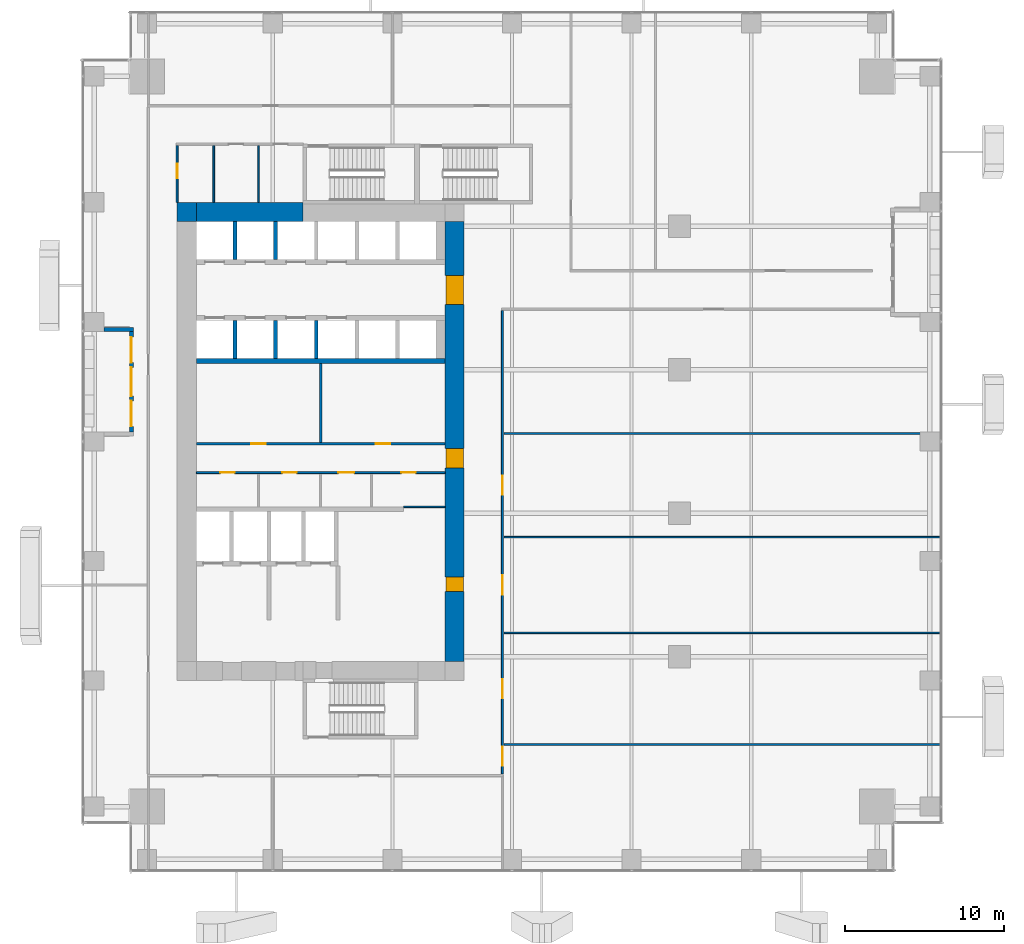
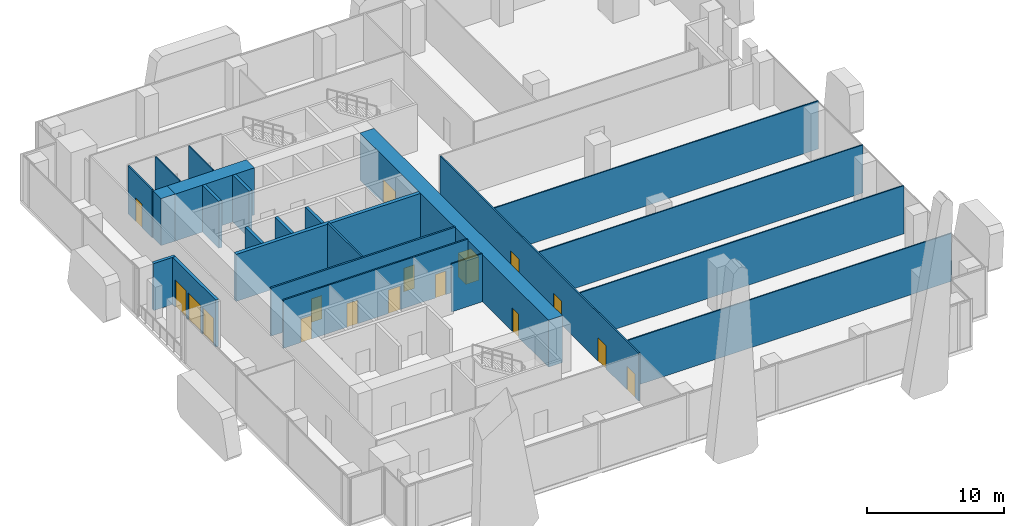
# One storey, part 28 of 35: 23 walls, 15 doors, 2 windows, 17 openings.
"""IFC4 building model written with IfcOpenShell, lengths in metres."""

from ifc_helpers import new_model, si_unit, direction, frame, frame_2d, origin, place, context, subcontext, project, spatial, rectangle, extrude, source, transform, mapped, material, layer, layer_set, type_object, element, fill, save


model = new_model("IFC4")

# Units and contexts
model_context = context("Model", 3, precision=1e-05, world=origin(), true_north=direction((0.0, 1.0)))
body_context = subcontext(model_context, "Body", "Model", "MODEL_VIEW")
ifc_project = project(units=[si_unit("LENGTHUNIT", "METRE"), si_unit("AREAUNIT", "SQUARE_METRE"), si_unit("VOLUMEUNIT", "CUBIC_METRE"), si_unit("PLANEANGLEUNIT", "RADIAN"), si_unit("MASSUNIT", "GRAM", prefix="KILO")], contexts=[model_context])

# Site, building, storey
site_placement = place(None, origin())
site = spatial("IfcSite", under=ifc_project, at=site_placement, CompositionType="ELEMENT")
building_placement = place(site_placement, origin())
building = spatial("IfcBuilding", under=site, at=building_placement, Name="Khomas Fold Tower", CompositionType="ELEMENT")
storey_placement = place(building_placement, frame((0.0, 0.0, 69.0)))
storey = spatial("IfcBuildingStorey", under=building, at=storey_placement, Name="L14", CompositionType="ELEMENT", Elevation=69.0)

# Walls
ifc_material_1 = material(Name="Concrete C70/85", Category="concrete")
ifc_layer_1 = layer(ifc_material_1, 1.199951171875)
ifc_layer_set_1 = layer_set([ifc_layer_1], Name="Concrete C70/85")
wall_type_1 = type_object("IfcWallType", Name="Core wall 1200", PredefinedType="SHEAR", material=ifc_layer_set_1)
shared_shape_1 = source(origin(), body_context, "Body", "SweptSolid", [
    extrude(rectangle(XDim=6.699951171875, YDim=1.199951171875, at=frame_2d((3.35009765625, 0.0))), origin(), (0.0, 0.0, 1.0), 4.199951171875),
])
wall_1_placement = place(storey_placement, frame((7.199951171875, 41.39990234375, 0.0), z_axis=(0.0, 0.0, 1.0), x_axis=(1.0, 0.0, 0.0)))
element("IfcWall", 1, at=wall_1_placement, inside=storey, type_object=wall_type_1, Name="Core wall CW-L-N-B2", PredefinedType="SHEAR", context=body_context, shape_type="MappedRepresentation", body=[
    mapped(shared_shape_1, transform((0.0, 0.0, 0.0))),
])
ifc_material_2 = material(Name="Concrete C70/85", Category="concrete")
ifc_layer_2 = layer(ifc_material_2, 1.199951171875)
ifc_layer_set_2 = layer_set([ifc_layer_2], Name="Concrete C70/85")
wall_type_2 = type_object("IfcWallType", Name="Core corner wall 1200", PredefinedType="SHEAR", material=ifc_layer_set_2)
shared_shape_2 = source(origin(), body_context, "Body", "SweptSolid", [
    extrude(rectangle(XDim=1.199951171875, YDim=1.199951171875, at=frame_2d((0.60009765625, 0.0))), origin(), (0.0, 0.0, 1.0), 4.199951171875),
])
wall_2_placement = place(storey_placement, frame((6.0, 41.39990234375, 0.0), z_axis=(0.0, 0.0, 1.0), x_axis=(1.0, 0.0, 0.0)))
element("IfcWall", 2, at=wall_2_placement, inside=storey, type_object=wall_type_2, Name="Core wall CW-L-NW-B2", PredefinedType="SHEAR", context=body_context, shape_type="MappedRepresentation", body=[
    mapped(shared_shape_2, transform((0.0, 0.0, 0.0))),
])

# Wall, openings, doors
shared_shape_3 = source(origin(), body_context, "Body", "SweptSolid", [
    extrude(rectangle(XDim=27.60009765625, YDim=1.199951171875, at=frame_2d((13.800048828125, 0.0))), origin(), (0.0, 0.0, 1.0), 4.199951171875),
])
wall_3_placement = place(storey_placement, frame((23.39990234375, 13.199951171875, 0.0), z_axis=(0.0, 0.0, 1.0), x_axis=(0.0, 1.0, 0.0)))
wall_3 = element("IfcWall", 3, at=wall_3_placement, inside=storey, type_object=wall_type_1, Name="Core wall CW-L-E-B2", PredefinedType="SHEAR", context=body_context, shape_type="MappedRepresentation", body=[
    mapped(shared_shape_3, transform((0.0, 0.0, 0.0))),
])
shared_shape_4 = source(origin(), body_context, "Body", "SweptSolid", [
    extrude(rectangle(XDim=1.800048828125, YDim=2.10009765625, at=frame_2d((0.89990234375, 1.050048828125))), frame((0.0, 0.60986328125, 0.0), z_axis=(0.0, -1.0, 0.0), x_axis=(1.0, 0.0, 0.0)), (0.0, 0.0, 1.0), 1.219970703125),
])
opening_1_placement = place(wall_3_placement, frame((22.39990234375, 0.0, 0.0)))
opening_1 = element("IfcOpeningElement", 4, at=opening_1_placement, cuts=wall_3, Name="Opening 0015", PredefinedType="OPENING", context=body_context, shape_type="MappedRepresentation", body=[
    mapped(shared_shape_4, transform((0.0, 0.0, 0.0))),
])
shared_shape_5 = source(origin(), body_context, "Body", "SweptSolid", [
    extrude(rectangle(XDim=1.199951171875, YDim=2.10009765625, at=frame_2d((0.60009765625, 1.050048828125))), frame((0.0, 0.60986328125, 0.0), z_axis=(0.0, -1.0, 0.0), x_axis=(1.0, 0.0, 0.0)), (0.0, 0.0, 1.0), 1.219970703125),
])
opening_2_placement = place(wall_3_placement, frame((12.14990234375, 0.0, 0.0)))
opening_2 = element("IfcOpeningElement", 5, at=opening_2_placement, cuts=wall_3, Name="Opening 0001", PredefinedType="OPENING", context=body_context, shape_type="MappedRepresentation", body=[
    mapped(shared_shape_5, transform((0.0, 0.0, 0.0))),
])
shared_shape_6 = source(origin(), body_context, "Body", "SweptSolid", [
    extrude(rectangle(XDim=0.89990234375, YDim=2.10009765625, at=frame_2d((0.449951171875, 1.050048828125))), frame((0.0, 0.60986328125, 0.0), z_axis=(0.0, -1.0, 0.0), x_axis=(1.0, 0.0, 0.0)), (0.0, 0.0, 1.0), 1.219970703125),
])
opening_3_placement = place(wall_3_placement, frame((4.39990234375, 0.0, 0.0)))
opening_3 = element("IfcOpeningElement", 6, at=opening_3_placement, cuts=wall_3, Name="Opening 0008", PredefinedType="OPENING", context=body_context, shape_type="MappedRepresentation", body=[
    mapped(shared_shape_6, transform((0.0, 0.0, 0.0))),
])
ifc_material_3 = material(Name="Timber door leaf", Category="wood")
door_type_1 = type_object("IfcDoorType", Name="Door 1200x2100 right-hand", OperationType="SINGLE_SWING_RIGHT", PredefinedType="DOOR", material=ifc_material_3)
shared_shape_7 = source(origin(), body_context, "Body", "SweptSolid", [
    extrude(rectangle(XDim=1.199951171875, YDim=2.10009765625, at=frame_2d((0.60009765625, 1.050048828125))), frame((0.0, 0.5498046875, 0.0), z_axis=(0.0, -1.0, 0.0), x_axis=(1.0, 0.0, 0.0)), (0.0, 0.0, 1.0), 1.099853515625),
])
door_1_placement = place(opening_2_placement, origin())
door_1 = element("IfcDoor", 7, at=door_1_placement, inside=storey, type_object=door_type_1, Name="Door", OperationType="SINGLE_SWING_RIGHT", OverallHeight=2.10009765625, OverallWidth=1.199951171875, PredefinedType="DOOR", context=body_context, shape_type="MappedRepresentation", body=[
    mapped(shared_shape_7, transform((0.0, 0.0, 0.0))),
])
fill(opening_2, door_1)
ifc_material_4 = material(Name="Timber door leaf", Category="wood")
door_type_2 = type_object("IfcDoorType", Name="Door 900x2100 right-hand", OperationType="SINGLE_SWING_RIGHT", PredefinedType="DOOR", material=ifc_material_4)
shared_shape_8 = source(origin(), body_context, "Body", "SweptSolid", [
    extrude(rectangle(XDim=0.89990234375, YDim=2.10009765625, at=frame_2d((0.449951171875, 1.050048828125))), frame((0.0, 0.5498046875, 0.0), z_axis=(0.0, -1.0, 0.0), x_axis=(1.0, 0.0, 0.0)), (0.0, 0.0, 1.0), 1.099853515625),
])
door_2_placement = place(opening_3_placement, origin())
door_2 = element("IfcDoor", 8, at=door_2_placement, inside=storey, type_object=door_type_2, Name="Door", OperationType="SINGLE_SWING_RIGHT", OverallHeight=2.10009765625, OverallWidth=0.89990234375, PredefinedType="DOOR", context=body_context, shape_type="MappedRepresentation", body=[
    mapped(shared_shape_8, transform((0.0, 0.0, 0.0))),
])
fill(opening_3, door_2)
ifc_material_5 = material(Name="Steel door leaf", Category="steel")
door_type_3 = type_object("IfcDoorType", Name="Lobby door 1800x2100", OperationType="DOUBLE_DOOR_SINGLE_SWING", PredefinedType="DOOR", material=ifc_material_5)
shared_shape_9 = source(origin(), body_context, "Body", "SweptSolid", [
    extrude(rectangle(XDim=1.800048828125, YDim=2.10009765625, at=frame_2d((0.89990234375, 1.050048828125))), frame((0.0, 0.5498046875, 0.0), z_axis=(0.0, -1.0, 0.0), x_axis=(1.0, 0.0, 0.0)), (0.0, 0.0, 1.0), 1.099853515625),
])
door_3_placement = place(opening_1_placement, origin())
door_3 = element("IfcDoor", 9, at=door_3_placement, inside=storey, type_object=door_type_3, Name="Lobby door", OperationType="DOUBLE_DOOR_SINGLE_SWING", OverallHeight=2.10009765625, OverallWidth=1.800048828125, PredefinedType="DOOR", context=body_context, shape_type="MappedRepresentation", body=[
    mapped(shared_shape_9, transform((0.0, 0.0, 0.0))),
])
fill(opening_1, door_3)

# Walls
ifc_material_6 = material(Name="Concrete C50/60", Category="concrete")
ifc_layer_3 = layer(ifc_material_6, 0.300048828125)
ifc_layer_set_3 = layer_set([ifc_layer_3], Name="Concrete C50/60")
wall_type_3 = type_object("IfcWallType", Name="Shaft wall 300", PredefinedType="STANDARD", material=ifc_layer_set_3)
shared_shape_10 = source(origin(), body_context, "Body", "SweptSolid", [
    extrude(rectangle(XDim=15.60009765625, YDim=0.300048828125, at=frame_2d((7.800048828125, 0.0))), origin(), (0.0, 0.0, 1.0), 4.199951171875),
])
wall_4_placement = place(storey_placement, frame((7.199951171875, 32.050048828125, 0.0), z_axis=(0.0, 0.0, 1.0), x_axis=(1.0, 0.0, 0.0)))
element("IfcWall", 10, at=wall_4_placement, inside=storey, type_object=wall_type_3, Name="Core wall SW-HRN-B", PredefinedType="STANDARD", context=body_context, shape_type="MappedRepresentation", body=[
    mapped(shared_shape_10, transform((0.0, 0.0, 0.0))),
])
ifc_material_7 = material(Name="Concrete C50/60", Category="concrete")
ifc_layer_4 = layer(ifc_material_7, 0.25)
ifc_layer_set_4 = layer_set([ifc_layer_4], Name="Concrete C50/60")
wall_type_4 = type_object("IfcWallType", Name="Shaft wall 250", PredefinedType="STANDARD", material=ifc_layer_set_4)
shared_shape_11 = source(origin(), body_context, "Body", "SweptSolid", [
    extrude(rectangle(XDim=2.400146484375, YDim=0.25, at=frame_2d((1.2001953125, 0.0))), origin(), (0.0, 0.0, 1.0), 4.199951171875),
])
for number, where, z_axis, x_axis, name in (
    (11, (9.625, 38.39990234375, 0.0), (0.0, 0.0, 1.0), (0.0, 1.0, 0.0), "Core wall SW-LRN-P1"),
    (12, (12.175048828125, 38.39990234375, 0.0), (0.0, 0.0, 1.0), (0.0, 1.0, 0.0), "Core wall SW-LRN-P2"),
    (13, (9.625, 32.199951171875, 0.0), (0.0, 0.0, 1.0), (0.0, 1.0, 0.0), "Core wall SW-LRS-P1"),
    (14, (12.175048828125, 32.199951171875, 0.0), (0.0, 0.0, 1.0), (0.0, 1.0, 0.0), "Core wall SW-LRS-P2"),
    (15, (14.72509765625, 32.199951171875, 0.0), (0.0, 0.0, 1.0), (0.0, 1.0, 0.0), "Core wall SW-LRS-P3"),
):
    element("IfcWall", number, at=place(storey_placement, frame(where, z_axis=z_axis, x_axis=x_axis)), inside=storey, type_object=wall_type_4, Name=name, PredefinedType="STANDARD", context=body_context, shape_type="MappedRepresentation", body=[
        mapped(shared_shape_11, transform((0.0, 0.0, 0.0))),
    ])

# Wall, openings, windows, door
ifc_material_8 = material(Name="Natural stone", Category="masonry")
ifc_layer_5 = layer(ifc_material_8, 0.0400390625)
ifc_material_9 = material(Name="Mineral wool insulation", Category="insulation")
ifc_layer_6 = layer(ifc_material_9, 0.10009765625)
ifc_material_10 = material(Name="Masonry", Category="masonry")
ifc_layer_7 = layer(ifc_material_10, 0.110107421875)
ifc_layer_set_5 = layer_set([ifc_layer_5, ifc_layer_6, ifc_layer_7], Name="Stone-faced insulated masonry")
wall_type_5 = type_object("IfcWallType", Name="BL-Balcony wall", PredefinedType="SOLIDWALL", material=ifc_layer_set_5)
shared_shape_12 = source(origin(), body_context, "Body", "SweptSolid", [
    extrude(rectangle(XDim=6.2998046875, YDim=0.25, at=frame_2d((3.14990234375, 0.0))), origin(), (0.0, 0.0, 1.0), 4.199951171875),
])
wall_5_placement = place(storey_placement, frame((3.125, 27.60009765625, 0.0), z_axis=(0.0, 0.0, 1.0), x_axis=(0.0, 1.0, 0.0)))
wall_5 = element("IfcWall", 16, at=wall_5_placement, inside=storey, type_object=wall_type_5, Name="Balcony wall BAL-L14-W3", PredefinedType="SOLIDWALL", context=body_context, shape_type="MappedRepresentation", body=[
    mapped(shared_shape_12, transform((0.0, 0.0, 0.0))),
])
shared_shape_13 = source(origin(), body_context, "Body", "SweptSolid", [
    extrude(rectangle(XDim=1.60009765625, YDim=2.39990234375, at=frame_2d((0.800048828125, 1.199951171875))), frame((0.0, 0.135009765625, 0.0), z_axis=(0.0, -1.0, 0.0), x_axis=(1.0, 0.0, 0.0)), (0.0, 0.0, 1.0), 0.27001953125),
])
opening_4_placement = place(wall_5_placement, frame((0.35009765625, 0.0, 0.0)))
opening_4 = element("IfcOpeningElement", 17, at=opening_4_placement, cuts=wall_5, Name="Opening BL-W1", PredefinedType="OPENING", context=body_context, shape_type="MappedRepresentation", body=[
    mapped(shared_shape_13, transform((0.0, 0.0, 0.0))),
])
opening_5_placement = place(wall_5_placement, frame((4.35009765625, 0.0, 0.0)))
opening_5 = element("IfcOpeningElement", 18, at=opening_5_placement, cuts=wall_5, Name="Opening BL-W1", PredefinedType="OPENING", context=body_context, shape_type="MappedRepresentation", body=[
    mapped(shared_shape_13, transform((0.0, 0.0, 0.0))),
])
shared_shape_14 = source(origin(), body_context, "Body", "SweptSolid", [
    extrude(rectangle(XDim=1.800048828125, YDim=2.39990234375, at=frame_2d((0.89990234375, 1.199951171875))), frame((0.0, 0.135009765625, 0.0), z_axis=(0.0, -1.0, 0.0), x_axis=(1.0, 0.0, 0.0)), (0.0, 0.0, 1.0), 0.27001953125),
])
opening_6_placement = place(wall_5_placement, frame((2.25, 0.0, 0.0)))
opening_6 = element("IfcOpeningElement", 19, at=opening_6_placement, cuts=wall_5, Name="Opening BD142", PredefinedType="OPENING", context=body_context, shape_type="MappedRepresentation", body=[
    mapped(shared_shape_14, transform((0.0, 0.0, 0.0))),
])
ifc_material_11 = material(Name="Aluminium framed double glazing", Category="aluminium")
window_type = type_object("IfcWindowType", Name="BL-Fixed glazing 1600 x 2400", PartitioningType="SINGLE_PANEL", PredefinedType="WINDOW", material=ifc_material_11)
shared_shape_15 = source(origin(), body_context, "Body", "SweptSolid", [
    extrude(rectangle(XDim=1.60009765625, YDim=2.39990234375, at=frame_2d((0.800048828125, 1.199951171875))), frame((0.0, 0.030029296875, 0.0), z_axis=(0.0, -1.0, 0.0), x_axis=(1.0, 0.0, 0.0)), (0.0, 0.0, 1.0), 0.06005859375),
])
window_1_placement = place(opening_4_placement, origin())
window_1 = element("IfcWindow", 20, at=window_1_placement, inside=storey, type_object=window_type, Name="Balcony glazing BAL-L14-W3-1", OverallHeight=2.39990234375, OverallWidth=1.60009765625, PartitioningType="SINGLE_PANEL", PredefinedType="WINDOW", context=body_context, shape_type="MappedRepresentation", body=[
    mapped(shared_shape_15, transform((0.0, 0.0, 0.0))),
])
fill(opening_4, window_1)
window_2_placement = place(opening_5_placement, origin())
window_2 = element("IfcWindow", 21, at=window_2_placement, inside=storey, type_object=window_type, Name="Balcony glazing BAL-L14-W3-2", OverallHeight=2.39990234375, OverallWidth=1.60009765625, PartitioningType="SINGLE_PANEL", PredefinedType="WINDOW", context=body_context, shape_type="MappedRepresentation", body=[
    mapped(shared_shape_15, transform((0.0, 0.0, 0.0))),
])
fill(opening_5, window_2)
ifc_material_12 = material(Name="Aluminium framed double glazing", Category="aluminium")
door_type_4 = type_object("IfcDoorType", Name="BL-Glazed balcony door 1800 x 2400", OperationType="DOUBLE_DOOR_DOUBLE_SWING", PredefinedType="DOOR", material=ifc_material_12)
shared_shape_16 = source(origin(), body_context, "Body", "SweptSolid", [
    extrude(rectangle(XDim=1.800048828125, YDim=2.39990234375, at=frame_2d((0.89990234375, 1.199951171875))), frame((0.0, 0.02490234375, 0.0), z_axis=(0.0, -1.0, 0.0), x_axis=(1.0, 0.0, 0.0)), (0.0, 0.0, 1.0), 0.050048828125),
])
door_4_placement = place(opening_6_placement, origin())
door_4 = element("IfcDoor", 22, at=door_4_placement, inside=storey, type_object=door_type_4, Name="Balcony door BD142", OperationType="DOUBLE_DOOR_DOUBLE_SWING", OverallHeight=2.39990234375, OverallWidth=1.800048828125, PredefinedType="DOOR", context=body_context, shape_type="MappedRepresentation", body=[
    mapped(shared_shape_16, transform((0.0, 0.0, 0.0))),
])
fill(opening_6, door_4)

# Walls
shared_shape_17 = source(origin(), body_context, "Body", "SweptSolid", [
    extrude(rectangle(XDim=1.85009765625, YDim=0.25, at=frame_2d((0.925048828125, 0.0))), origin(), (0.0, 0.0, 1.0), 4.199951171875),
])
wall_6_placement = place(storey_placement, frame((1.39990234375, 34.02490234375, 0.0), z_axis=(0.0, 0.0, 1.0), x_axis=(1.0, 0.0, 0.0)))
element("IfcWall", 23, at=wall_6_placement, inside=storey, type_object=wall_type_5, Name="Balcony return wall BAL-L14-W3-hi", PredefinedType="SOLIDWALL", context=body_context, shape_type="MappedRepresentation", body=[
    mapped(shared_shape_17, transform((0.0, 0.0, 0.0))),
])
ifc_material_13 = material(Name="Plasterboard partition")
ifc_layer_8 = layer(ifc_material_13, 0.10009765625)
ifc_layer_set_6 = layer_set([ifc_layer_8], Name="Plasterboard partition")
wall_type_6 = type_object("IfcWallType", Name="Partition PW1 100", PredefinedType="PARTITIONING", material=ifc_layer_set_6)
shared_shape_18 = source(origin(), body_context, "Body", "SweptSolid", [
    extrude(rectangle(XDim=27.35009765625, YDim=0.10009765625, at=frame_2d((13.675048828125, 0.0))), origin(), (0.0, 0.0, 1.0), 4.300048828125),
])
for number, where, z_axis, x_axis, name in (
    (24, (26.5, 8.0, 0.0), (0.0, 0.0, 1.0), (1.0, 0.0, 0.0), "Partition"),
    (25, (26.5, 15.0, 0.0), (0.0, 0.0, 1.0), (1.0, 0.0, 0.0), "Partition"),
    (26, (26.5, 21.0, 0.0), (0.0, 0.0, 1.0), (1.0, 0.0, 0.0), "Partition"),
    (27, (26.5, 27.5, 0.0), (0.0, 0.0, 1.0), (1.0, 0.0, 0.0), "Partition"),
):
    element("IfcWall", number, at=place(storey_placement, frame(where, z_axis=z_axis, x_axis=x_axis)), inside=storey, type_object=wall_type_6, Name=name, PredefinedType="PARTITIONING", context=body_context, shape_type="MappedRepresentation", body=[
        mapped(shared_shape_18, transform((0.0, 0.0, 0.0))),
    ])
shared_shape_19 = source(origin(), body_context, "Body", "SweptSolid", [
    extrude(rectangle(XDim=3.550048828125, YDim=0.10009765625, at=frame_2d((1.77490234375, 0.0))), origin(), (0.0, 0.0, 1.0), 4.300048828125),
])
for number, where, z_axis, x_axis, name in (
    (28, (8.300048828125, 42.0, 0.0), (0.0, 0.0, 1.0), (0.0, 1.0, 0.0), "Partition"),
    (29, (11.10009765625, 42.0, 0.0), (0.0, 0.0, 1.0), (0.0, 1.0, 0.0), "Partition"),
):
    element("IfcWall", number, at=place(storey_placement, frame(where, z_axis=z_axis, x_axis=x_axis)), inside=storey, type_object=wall_type_6, Name=name, PredefinedType="PARTITIONING", context=body_context, shape_type="MappedRepresentation", body=[
        mapped(shared_shape_19, transform((0.0, 0.0, 0.0))),
    ])

# Wall, openings, doors
ifc_material_14 = material(Name="Plasterboard fire partition")
ifc_layer_9 = layer(ifc_material_14, 0.14990234375)
ifc_layer_set_7 = layer_set([ifc_layer_9], Name="Plasterboard fire partition")
wall_type_7 = type_object("IfcWallType", Name="Plant room wall PW3 150", PredefinedType="PARTITIONING", material=ifc_layer_set_7)
shared_shape_20 = source(origin(), body_context, "Body", "SweptSolid", [
    extrude(rectangle(XDim=15.60009765625, YDim=0.14990234375, at=frame_2d((7.800048828125, 0.0))), origin(), (0.0, 0.0, 1.0), 4.300048828125),
])
wall_7_placement = place(storey_placement, frame((7.199951171875, 26.85009765625, 0.0), z_axis=(0.0, 0.0, 1.0), x_axis=(1.0, 0.0, 0.0)))
wall_7 = element("IfcWall", 30, at=wall_7_placement, inside=storey, type_object=wall_type_7, Name="Plant room wall", PredefinedType="PARTITIONING", context=body_context, shape_type="MappedRepresentation", body=[
    mapped(shared_shape_20, transform((0.0, 0.0, 0.0))),
])
shared_shape_21 = source(origin(), body_context, "Body", "SweptSolid", [
    extrude(rectangle(XDim=0.89990234375, YDim=2.10009765625, at=frame_2d((0.449951171875, 1.050048828125))), frame((0.0, 0.0849609375, 0.0), z_axis=(0.0, -1.0, 0.0), x_axis=(1.0, 0.0, 0.0)), (0.0, 0.0, 1.0), 0.169921875),
])
opening_7_placement = place(wall_7_placement, frame((3.449951171875, 0.0, 0.0)))
opening_7 = element("IfcOpeningElement", 31, at=opening_7_placement, cuts=wall_7, Name="Opening 0003", PredefinedType="OPENING", context=body_context, shape_type="MappedRepresentation", body=[
    mapped(shared_shape_21, transform((0.0, 0.0, 0.0))),
])
opening_8_placement = place(wall_7_placement, frame((11.25, 0.0, 0.0)))
opening_8 = element("IfcOpeningElement", 32, at=opening_8_placement, cuts=wall_7, Name="Opening 0002", PredefinedType="OPENING", context=body_context, shape_type="MappedRepresentation", body=[
    mapped(shared_shape_21, transform((0.0, 0.0, 0.0))),
])
ifc_material_15 = material(Name="Steel door leaf", Category="steel")
door_type_5 = type_object("IfcDoorType", Name="Plant room door 900x2100 right-hand", OperationType="SINGLE_SWING_RIGHT", PredefinedType="DOOR", material=ifc_material_15)
shared_shape_22 = source(origin(), body_context, "Body", "SweptSolid", [
    extrude(rectangle(XDim=0.89990234375, YDim=2.10009765625, at=frame_2d((0.449951171875, 1.050048828125))), frame((0.0, 0.02490234375, 0.0), z_axis=(0.0, -1.0, 0.0), x_axis=(1.0, 0.0, 0.0)), (0.0, 0.0, 1.0), 0.050048828125),
])
door_5_placement = place(opening_7_placement, origin())
door_5 = element("IfcDoor", 33, at=door_5_placement, inside=storey, type_object=door_type_5, Name="Plant room door", OperationType="SINGLE_SWING_RIGHT", OverallHeight=2.10009765625, OverallWidth=0.89990234375, PredefinedType="DOOR", context=body_context, shape_type="MappedRepresentation", body=[
    mapped(shared_shape_22, transform((0.0, 0.0, 0.0))),
])
fill(opening_7, door_5)
ifc_material_16 = material(Name="Steel door leaf", Category="steel")
door_type_6 = type_object("IfcDoorType", Name="Plant room door 900x2100 left-hand", OperationType="SINGLE_SWING_LEFT", PredefinedType="DOOR", material=ifc_material_16)
door_6_placement = place(opening_8_placement, origin())
door_6 = element("IfcDoor", 34, at=door_6_placement, inside=storey, type_object=door_type_6, Name="Plant room door", OperationType="SINGLE_SWING_LEFT", OverallHeight=2.10009765625, OverallWidth=0.89990234375, PredefinedType="DOOR", context=body_context, shape_type="MappedRepresentation", body=[
    mapped(shared_shape_22, transform((0.0, 0.0, 0.0))),
])
fill(opening_8, door_6)

# Wall, opening, door
ifc_material_17 = material(Name="Plasterboard partition")
ifc_layer_10 = layer(ifc_material_17, 0.125)
ifc_layer_set_8 = layer_set([ifc_layer_10], Name="Plasterboard partition")
wall_type_8 = type_object("IfcWallType", Name="Partition PW2 125", PredefinedType="PARTITIONING", material=ifc_layer_set_8)
shared_shape_23 = source(origin(), body_context, "Body", "SweptSolid", [
    extrude(rectangle(XDim=3.550048828125, YDim=0.125, at=frame_2d((1.77490234375, 0.0))), origin(), (0.0, 0.0, 1.0), 4.300048828125),
])
wall_8_placement = place(storey_placement, frame((6.0, 42.0, 0.0), z_axis=(0.0, 0.0, 1.0), x_axis=(0.0, 1.0, 0.0)))
wall_8 = element("IfcWall", 35, at=wall_8_placement, inside=storey, type_object=wall_type_8, Name="Partition", PredefinedType="PARTITIONING", context=body_context, shape_type="MappedRepresentation", body=[
    mapped(shared_shape_23, transform((0.0, 0.0, 0.0))),
])
shared_shape_24 = source(origin(), body_context, "Body", "SweptSolid", [
    extrude(rectangle(XDim=0.89990234375, YDim=2.10009765625, at=frame_2d((0.449951171875, 1.050048828125))), frame((0.0, 0.072509765625, 0.0), z_axis=(0.0, -1.0, 0.0), x_axis=(1.0, 0.0, 0.0)), (0.0, 0.0, 1.0), 0.14501953125),
])
opening_9_placement = place(wall_8_placement, frame((1.5, 0.0, 0.0)))
opening_9 = element("IfcOpeningElement", 36, at=opening_9_placement, cuts=wall_8, Name="Opening 0008", PredefinedType="OPENING", context=body_context, shape_type="MappedRepresentation", body=[
    mapped(shared_shape_24, transform((0.0, 0.0, 0.0))),
])
door_7_placement = place(opening_9_placement, origin())
door_7 = element("IfcDoor", 37, at=door_7_placement, inside=storey, type_object=door_type_2, Name="Door", OperationType="SINGLE_SWING_RIGHT", OverallHeight=2.10009765625, OverallWidth=0.89990234375, PredefinedType="DOOR", context=body_context, shape_type="MappedRepresentation", body=[
    mapped(shared_shape_22, transform((0.0, 0.0, 0.0))),
])
fill(opening_9, door_7)

# Wall
shared_shape_25 = source(origin(), body_context, "Body", "SweptSolid", [
    extrude(rectangle(XDim=2.60009765625, YDim=0.10009765625, at=frame_2d((1.300048828125, 0.0))), origin(), (0.0, 0.0, 1.0), 4.300048828125),
])
wall_9_placement = place(storey_placement, frame((20.199951171875, 22.89990234375, 0.0), z_axis=(0.0, 0.0, 1.0), x_axis=(1.0, 0.0, 0.0)))
element("IfcWall", 38, at=wall_9_placement, inside=storey, type_object=wall_type_6, Name="Partition", PredefinedType="PARTITIONING", context=body_context, shape_type="MappedRepresentation", body=[
    mapped(shared_shape_25, transform((0.0, 0.0, 0.0))),
])

# Wall, openings, doors
shared_shape_26 = source(origin(), body_context, "Body", "SweptSolid", [
    extrude(rectangle(XDim=15.60009765625, YDim=0.125, at=frame_2d((7.800048828125, 0.0))), origin(), (0.0, 0.0, 1.0), 4.300048828125),
])
wall_10_placement = place(storey_placement, frame((7.199951171875, 25.050048828125, 0.0), z_axis=(0.0, 0.0, 1.0), x_axis=(1.0, 0.0, 0.0)))
wall_10 = element("IfcWall", 39, at=wall_10_placement, inside=storey, type_object=wall_type_8, Name="Partition", PredefinedType="PARTITIONING", context=body_context, shape_type="MappedRepresentation", body=[
    mapped(shared_shape_26, transform((0.0, 0.0, 0.0))),
])
opening_10_placement = place(wall_10_placement, frame((1.5, 0.0, 0.0)))
opening_10 = element("IfcOpeningElement", 40, at=opening_10_placement, cuts=wall_10, Name="Opening 0005", PredefinedType="OPENING", context=body_context, shape_type="MappedRepresentation", body=[
    mapped(shared_shape_24, transform((0.0, 0.0, 0.0))),
])
opening_11_placement = place(wall_10_placement, frame((5.39990234375, 0.0, 0.0)))
opening_11 = element("IfcOpeningElement", 41, at=opening_11_placement, cuts=wall_10, Name="Opening 0004", PredefinedType="OPENING", context=body_context, shape_type="MappedRepresentation", body=[
    mapped(shared_shape_24, transform((0.0, 0.0, 0.0))),
])
shared_shape_27 = source(origin(), body_context, "Body", "SweptSolid", [
    extrude(rectangle(XDim=1.0, YDim=2.10009765625, at=frame_2d((0.5, 1.050048828125))), frame((0.0, 0.072509765625, 0.0), z_axis=(0.0, -1.0, 0.0), x_axis=(1.0, 0.0, 0.0)), (0.0, 0.0, 1.0), 0.14501953125),
])
opening_12_placement = place(wall_10_placement, frame((8.89990234375, 0.0, 0.0)))
opening_12 = element("IfcOpeningElement", 42, at=opening_12_placement, cuts=wall_10, Name="Opening 0014", PredefinedType="OPENING", context=body_context, shape_type="MappedRepresentation", body=[
    mapped(shared_shape_27, transform((0.0, 0.0, 0.0))),
])
opening_13_placement = place(wall_10_placement, frame((12.85009765625, 0.0, 0.0)))
opening_13 = element("IfcOpeningElement", 43, at=opening_13_placement, cuts=wall_10, Name="Opening 0008", PredefinedType="OPENING", context=body_context, shape_type="MappedRepresentation", body=[
    mapped(shared_shape_24, transform((0.0, 0.0, 0.0))),
])
ifc_material_18 = material(Name="Timber door leaf", Category="wood")
door_type_7 = type_object("IfcDoorType", Name="WC door 900x2100 left-hand", OperationType="SINGLE_SWING_LEFT", PredefinedType="DOOR", material=ifc_material_18)
door_8_placement = place(opening_10_placement, origin())
door_8 = element("IfcDoor", 44, at=door_8_placement, inside=storey, type_object=door_type_7, Name="WC door", OperationType="SINGLE_SWING_LEFT", OverallHeight=2.10009765625, OverallWidth=0.89990234375, PredefinedType="DOOR", context=body_context, shape_type="MappedRepresentation", body=[
    mapped(shared_shape_22, transform((0.0, 0.0, 0.0))),
])
fill(opening_10, door_8)
ifc_material_19 = material(Name="Timber door leaf", Category="wood")
door_type_8 = type_object("IfcDoorType", Name="WC door 900x2100 right-hand", OperationType="SINGLE_SWING_RIGHT", PredefinedType="DOOR", material=ifc_material_19)
door_9_placement = place(opening_11_placement, origin())
door_9 = element("IfcDoor", 45, at=door_9_placement, inside=storey, type_object=door_type_8, Name="WC door", OperationType="SINGLE_SWING_RIGHT", OverallHeight=2.10009765625, OverallWidth=0.89990234375, PredefinedType="DOOR", context=body_context, shape_type="MappedRepresentation", body=[
    mapped(shared_shape_22, transform((0.0, 0.0, 0.0))),
])
fill(opening_11, door_9)
door_10_placement = place(opening_13_placement, origin())
door_10 = element("IfcDoor", 46, at=door_10_placement, inside=storey, type_object=door_type_2, Name="Door", OperationType="SINGLE_SWING_RIGHT", OverallHeight=2.10009765625, OverallWidth=0.89990234375, PredefinedType="DOOR", context=body_context, shape_type="MappedRepresentation", body=[
    mapped(shared_shape_22, transform((0.0, 0.0, 0.0))),
])
fill(opening_13, door_10)
ifc_material_20 = material(Name="Timber door leaf", Category="wood")
door_type_9 = type_object("IfcDoorType", Name="WC door 1000x2100 left-hand", OperationType="SINGLE_SWING_LEFT", PredefinedType="DOOR", material=ifc_material_20)
shared_shape_28 = source(origin(), body_context, "Body", "SweptSolid", [
    extrude(rectangle(XDim=1.0, YDim=2.10009765625, at=frame_2d((0.5, 1.050048828125))), frame((0.0, 0.02490234375, 0.0), z_axis=(0.0, -1.0, 0.0), x_axis=(1.0, 0.0, 0.0)), (0.0, 0.0, 1.0), 0.050048828125),
])
door_11_placement = place(opening_12_placement, origin())
door_11 = element("IfcDoor", 47, at=door_11_placement, inside=storey, type_object=door_type_9, Name="WC door", OperationType="SINGLE_SWING_LEFT", OverallHeight=2.10009765625, OverallWidth=1.0, PredefinedType="DOOR", context=body_context, shape_type="MappedRepresentation", body=[
    mapped(shared_shape_28, transform((0.0, 0.0, 0.0))),
])
fill(opening_12, door_11)

shared_shape_29 = source(origin(), body_context, "Body", "SweptSolid", [
    extrude(rectangle(XDim=29.050048828125, YDim=0.125, at=frame_2d((14.52490234375, 0.0))), origin(), (0.0, 0.0, 1.0), 4.300048828125),
])
wall_11_placement = place(storey_placement, frame((26.39990234375, 6.14990234375, 0.0), z_axis=(0.0, 0.0, 1.0), x_axis=(0.0, 1.0, 0.0)))
wall_11 = element("IfcWall", 48, at=wall_11_placement, inside=storey, type_object=wall_type_8, Name="Partition", PredefinedType="PARTITIONING", context=body_context, shape_type="MappedRepresentation", body=[
    mapped(shared_shape_29, transform((0.0, 0.0, 0.0))),
])
shared_shape_30 = source(origin(), body_context, "Body", "SweptSolid", [
    extrude(rectangle(XDim=1.199951171875, YDim=2.10009765625, at=frame_2d((0.60009765625, 1.050048828125))), frame((0.0, 0.072509765625, 0.0), z_axis=(0.0, -1.0, 0.0), x_axis=(1.0, 0.0, 0.0)), (0.0, 0.0, 1.0), 0.14501953125),
])
opening_14_placement = place(wall_11_placement, frame((0.5, 0.0, 0.0)))
opening_14 = element("IfcOpeningElement", 49, at=opening_14_placement, cuts=wall_11, Name="Opening 0001", PredefinedType="OPENING", context=body_context, shape_type="MappedRepresentation", body=[
    mapped(shared_shape_30, transform((0.0, 0.0, 0.0))),
])
opening_15_placement = place(wall_11_placement, frame((4.75, 0.0, 0.0)))
opening_15 = element("IfcOpeningElement", 50, at=opening_15_placement, cuts=wall_11, Name="Opening 0001", PredefinedType="OPENING", context=body_context, shape_type="MappedRepresentation", body=[
    mapped(shared_shape_30, transform((0.0, 0.0, 0.0))),
])
opening_16_placement = place(wall_11_placement, frame((11.25, 0.0, 0.0)))
opening_16 = element("IfcOpeningElement", 51, at=opening_16_placement, cuts=wall_11, Name="Opening 0013", PredefinedType="OPENING", context=body_context, shape_type="MappedRepresentation", body=[
    mapped(shared_shape_30, transform((0.0, 0.0, 0.0))),
])
opening_17_placement = place(wall_11_placement, frame((17.5, 0.0, 0.0)))
opening_17 = element("IfcOpeningElement", 52, at=opening_17_placement, cuts=wall_11, Name="Opening 0001", PredefinedType="OPENING", context=body_context, shape_type="MappedRepresentation", body=[
    mapped(shared_shape_30, transform((0.0, 0.0, 0.0))),
])
shared_shape_31 = source(origin(), body_context, "Body", "SweptSolid", [
    extrude(rectangle(XDim=1.199951171875, YDim=2.10009765625, at=frame_2d((0.60009765625, 1.050048828125))), frame((0.0, 0.02490234375, 0.0), z_axis=(0.0, -1.0, 0.0), x_axis=(1.0, 0.0, 0.0)), (0.0, 0.0, 1.0), 0.050048828125),
])
door_12_placement = place(opening_14_placement, origin())
door_12 = element("IfcDoor", 53, at=door_12_placement, inside=storey, type_object=door_type_1, Name="Door", OperationType="SINGLE_SWING_RIGHT", OverallHeight=2.10009765625, OverallWidth=1.199951171875, PredefinedType="DOOR", context=body_context, shape_type="MappedRepresentation", body=[
    mapped(shared_shape_31, transform((0.0, 0.0, 0.0))),
])
fill(opening_14, door_12)
door_13_placement = place(opening_15_placement, origin())
door_13 = element("IfcDoor", 54, at=door_13_placement, inside=storey, type_object=door_type_1, Name="Door", OperationType="SINGLE_SWING_RIGHT", OverallHeight=2.10009765625, OverallWidth=1.199951171875, PredefinedType="DOOR", context=body_context, shape_type="MappedRepresentation", body=[
    mapped(shared_shape_31, transform((0.0, 0.0, 0.0))),
])
fill(opening_15, door_13)
ifc_material_21 = material(Name="Timber door leaf", Category="wood")
door_type_10 = type_object("IfcDoorType", Name="Door 1200x2100 left-hand", OperationType="SINGLE_SWING_LEFT", PredefinedType="DOOR", material=ifc_material_21)
door_14_placement = place(opening_16_placement, origin())
door_14 = element("IfcDoor", 55, at=door_14_placement, inside=storey, type_object=door_type_10, Name="Door", OperationType="SINGLE_SWING_LEFT", OverallHeight=2.10009765625, OverallWidth=1.199951171875, PredefinedType="DOOR", context=body_context, shape_type="MappedRepresentation", body=[
    mapped(shared_shape_31, transform((0.0, 0.0, 0.0))),
])
fill(opening_16, door_14)
door_15_placement = place(opening_17_placement, origin())
door_15 = element("IfcDoor", 56, at=door_15_placement, inside=storey, type_object=door_type_1, Name="Door", OperationType="SINGLE_SWING_RIGHT", OverallHeight=2.10009765625, OverallWidth=1.199951171875, PredefinedType="DOOR", context=body_context, shape_type="MappedRepresentation", body=[
    mapped(shared_shape_31, transform((0.0, 0.0, 0.0))),
])
fill(opening_17, door_15)

# Wall
shared_shape_32 = source(origin(), body_context, "Body", "SweptSolid", [
    extrude(rectangle(XDim=4.949951171875, YDim=0.14990234375, at=frame_2d((2.47509765625, 0.0))), origin(), (0.0, 0.0, 1.0), 4.300048828125),
])
wall_12_placement = place(storey_placement, frame((15.0, 26.949951171875, 0.0), z_axis=(0.0, 0.0, 1.0), x_axis=(0.0, 1.0, 0.0)))
element("IfcWall", 57, at=wall_12_placement, inside=storey, type_object=wall_type_7, Name="Plant room wall", PredefinedType="PARTITIONING", context=body_context, shape_type="MappedRepresentation", body=[
    mapped(shared_shape_32, transform((0.0, 0.0, 0.0))),
])

save(model, "model.ifc")
